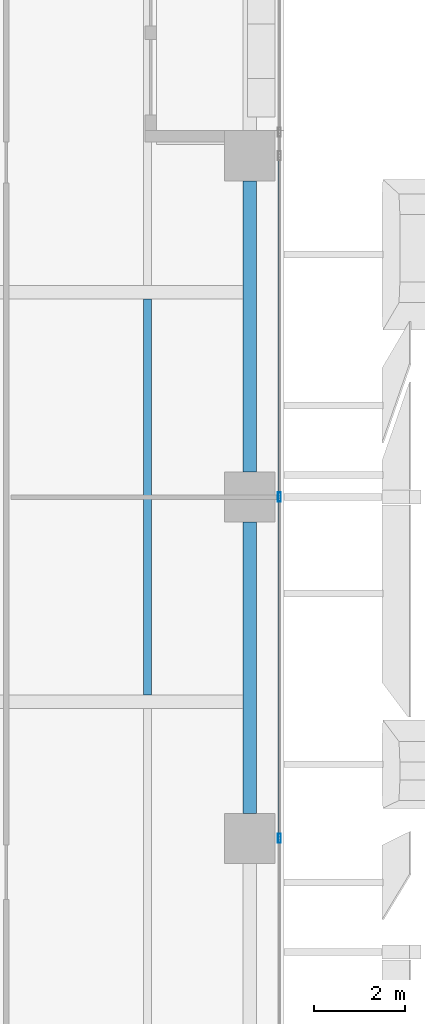
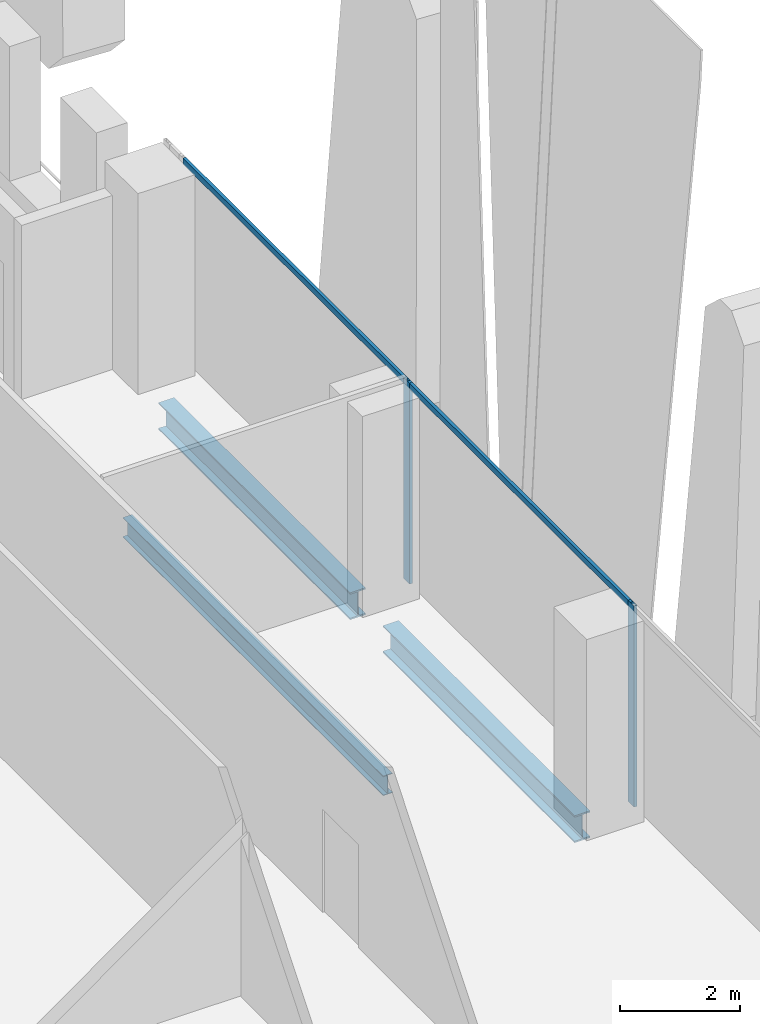
# One storey, part 11 of 35: 4 members, 3 beams, 1 element without a shape of its own.
"""IFC4 building model written with IfcOpenShell, lengths in metres."""

from ifc_helpers import new_model, si_unit, direction, frame, origin, origin_2d, place, context, subcontext, project, spatial, hollow_rectangle, i_section, extrude, source, transform, mapped, material, material_profile, profile_set, type_object, element, aggregate, save


model = new_model("IFC4")

# Units and contexts
model_context = context("Model", 3, precision=1e-05, world=origin(), true_north=direction((0.0, 1.0)))
body_context = subcontext(model_context, "Body", "Model", "MODEL_VIEW")
ifc_project = project(units=[si_unit("LENGTHUNIT", "METRE"), si_unit("AREAUNIT", "SQUARE_METRE"), si_unit("VOLUMEUNIT", "CUBIC_METRE"), si_unit("PLANEANGLEUNIT", "RADIAN"), si_unit("MASSUNIT", "GRAM", prefix="KILO")], contexts=[model_context])

# Site, building, storey
site_placement = place(None, origin())
site = spatial("IfcSite", under=ifc_project, at=site_placement, CompositionType="ELEMENT")
building_placement = place(site_placement, origin())
building = spatial("IfcBuilding", under=site, at=building_placement, Name="Khomas Fold Tower", CompositionType="ELEMENT")
storey_placement = place(building_placement, frame((0.0, 0.0, 127.89990234375)))
storey = spatial("IfcBuildingStorey", under=building, at=storey_placement, Name="L27", CompositionType="ELEMENT", Elevation=127.89990234375)

# Beams
ifc_material_1 = material(Name="Steel S355", Category="steel")
ifc_material_profile_1 = material_profile(ifc_material_1, i_section(OverallWidth=0.179931640625, OverallDepth=0.39990234375, WebThickness=0.008544921875, FlangeThickness=0.013427734375, at=origin_2d()), Name="IPE 400")
ifc_profile_set_1 = profile_set([ifc_material_profile_1], Name="Steel S355")
beam_type_1 = type_object("IfcBeamType", Name="IPE 400 beam JB3", PredefinedType="BEAM", material=ifc_profile_set_1)
shared_shape_1 = source(origin(), body_context, "Body", "SweptSolid", [
    extrude(i_section(OverallWidth=0.179931640625, OverallDepth=0.39990234375, WebThickness=0.008544921875, FlangeThickness=0.013427734375, at=origin_2d()), origin(), (0.0, 0.0, 1.0), 8.7001953125),
])
beam_placement = place(storey_placement, frame((49.5, 22.64990234375, -0.5), z_axis=(0.0, 1.0, 0.0), x_axis=(-1.0, 0.0, 0.0)))
element("IfcBeam", 1, at=beam_placement, inside=storey, type_object=beam_type_1, Name="JB3", PredefinedType="BEAM", context=body_context, shape_type="MappedRepresentation", body=[
    mapped(shared_shape_1, transform((0.0, 0.0, 0.0))),
])
ifc_material_2 = material(Name="Steel S355", Category="steel")
ifc_material_profile_2 = material_profile(ifc_material_2, i_section(OverallWidth=0.300048828125, OverallDepth=0.550048828125, WebThickness=0.014892578125, FlangeThickness=0.029052734375, at=origin_2d()), Name="HE 550 B")
ifc_profile_set_2 = profile_set([ifc_material_profile_2], Name="Steel S355")
beam_type_2 = type_object("IfcBeamType", Name="HE 550 B spandrel SB2", PredefinedType="SPANDREL", material=ifc_profile_set_2)
shared_shape_2 = source(origin(), body_context, "Body", "SweptSolid", [
    extrude(i_section(OverallWidth=0.300048828125, OverallDepth=0.550048828125, WebThickness=0.014892578125, FlangeThickness=0.029052734375, at=origin_2d()), origin(), (0.0, 0.0, 1.0), 6.39990234375),
])
for number, where, z_axis, x_axis, name in (
    (2, (51.75, 20.050048828125, -0.574951171875), (0.0, 1.0, 0.0), (-1.0, 0.0, 0.0), "SB2"),
    (3, (51.75, 27.550048828125, -0.574951171875), (0.0, 1.0, 0.0), (-1.0, 0.0, 0.0), "SB2"),
):
    element("IfcBeam", number, at=place(storey_placement, frame(where, z_axis=z_axis, x_axis=x_axis)), inside=storey, type_object=beam_type_2, Name=name, PredefinedType="SPANDREL", context=body_context, shape_type="MappedRepresentation", body=[
        mapped(shared_shape_2, transform((0.0, 0.0, 0.0))),
    ])

# Curtain wall, members
ifc_material_3 = material(Name="Aluminium framed double glazing", Category="aluminium")
curtain_wall_type = type_object("IfcCurtainWallType", Name="SK-Unitised clear-glass wall, growing floors CW1", PredefinedType="NOTDEFINED", material=ifc_material_3)
curtain_wall_placement = place(storey_placement, origin())
curtain_wall = element("IfcCurtainWall", 4, at=curtain_wall_placement, inside=storey, type_object=curtain_wall_type, Name="CW1 run L27 03-0", PredefinedType="NOTDEFINED")
ifc_material_4 = material(Name="Aluminium", Category="aluminium")
ifc_material_profile_3 = material_profile(ifc_material_4, hollow_rectangle(XDim=0.06005859375, YDim=0.1201171875, WallThickness=0.00390625, at=origin_2d()), Name="SK-Unitised clear-glass wall, growing floors transom CW1-T")
ifc_profile_set_3 = profile_set([ifc_material_profile_3], Name="Aluminium")
member_type_1 = type_object("IfcMemberType", Name="SK-Unitised clear-glass wall, growing floors transom CW1-T", PredefinedType="USERDEFINED", material=ifc_profile_set_3)
shared_shape_3 = source(origin(), body_context, "Body", "SweptSolid", [
    extrude(hollow_rectangle(XDim=0.06005859375, YDim=0.1201171875, WallThickness=0.00390625, at=origin_2d()), origin(), (0.0, 0.0, 1.0), 7.43994140625),
])
member_1_placement = place(storey_placement, frame((52.39990234375, 19.530029296875, 4.0400390625), z_axis=(0.0, 1.0, 0.0), x_axis=(-1.0, 0.0, 0.0)))
member_1 = element("IfcMember", 5, at=member_1_placement, type_object=member_type_1, Name="CW1 transom 4", ObjectType="TRANSOM", PredefinedType="USERDEFINED", context=body_context, shape_type="MappedRepresentation", body=[
    mapped(shared_shape_3, transform((0.0, 0.0, 0.0))),
])
member_2_placement = place(storey_placement, frame((52.39990234375, 27.030029296875, 4.0400390625), z_axis=(0.0, 1.0, 0.0), x_axis=(-1.0, 0.0, 0.0)))
member_2 = element("IfcMember", 6, at=member_2_placement, type_object=member_type_1, Name="CW1 transom 5", ObjectType="TRANSOM", PredefinedType="USERDEFINED", context=body_context, shape_type="MappedRepresentation", body=[
    mapped(shared_shape_3, transform((0.0, 0.0, 0.0))),
])
ifc_material_5 = material(Name="Aluminium", Category="aluminium")
ifc_material_profile_4 = material_profile(ifc_material_5, hollow_rectangle(XDim=0.06005859375, YDim=0.199951171875, WallThickness=0.00390625, at=origin_2d()), Name="SK-Unitised clear-glass wall, growing floors mullion CW1-M")
ifc_profile_set_4 = profile_set([ifc_material_profile_4], Name="Aluminium")
member_type_2 = type_object("IfcMemberType", Name="SK-Unitised clear-glass wall, growing floors mullion CW1-M", PredefinedType="MULLION", material=ifc_profile_set_4)
shared_shape_4 = source(origin(), body_context, "Body", "SweptSolid", [
    extrude(hollow_rectangle(XDim=0.06005859375, YDim=0.199951171875, WallThickness=0.00390625, at=origin_2d()), origin(), (0.0, 0.0, 1.0), 4.10009765625),
])
member_3_placement = place(storey_placement, frame((52.39990234375, 19.5, 0.0), z_axis=(0.0, 0.0, 1.0), x_axis=(-1.0, 0.0, 0.0)))
member_3 = element("IfcMember", 7, at=member_3_placement, type_object=member_type_2, Name="CW1 mullion 4", PredefinedType="MULLION", context=body_context, shape_type="MappedRepresentation", body=[
    mapped(shared_shape_4, transform((0.0, 0.0, 0.0))),
])
member_4_placement = place(storey_placement, frame((52.39990234375, 27.0, 0.0), z_axis=(0.0, 0.0, 1.0), x_axis=(-1.0, 0.0, 0.0)))
member_4 = element("IfcMember", 8, at=member_4_placement, type_object=member_type_2, Name="CW1 mullion 5", PredefinedType="MULLION", context=body_context, shape_type="MappedRepresentation", body=[
    mapped(shared_shape_4, transform((0.0, 0.0, 0.0))),
])
aggregate(curtain_wall, [member_3, member_4, member_1, member_2])

save(model, "model.ifc")
